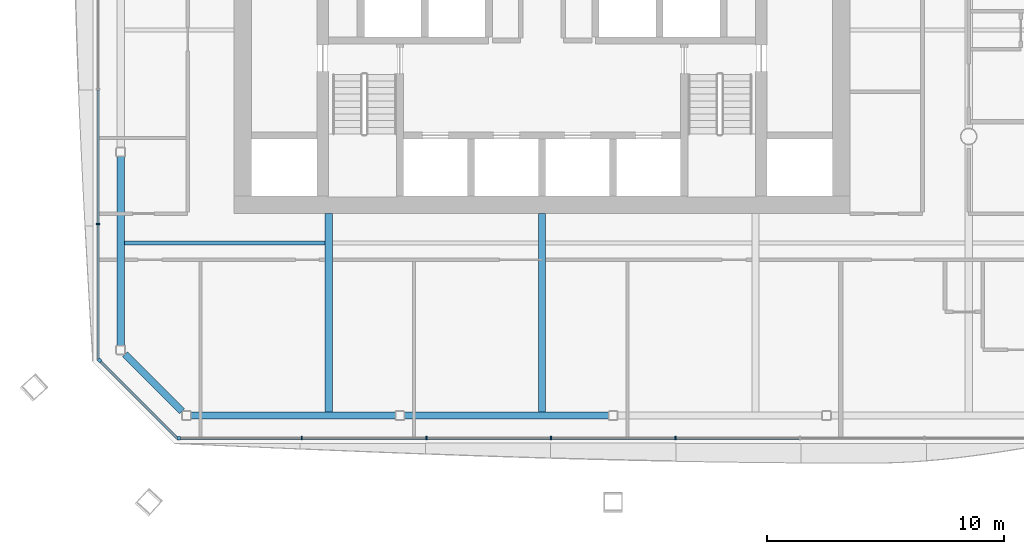
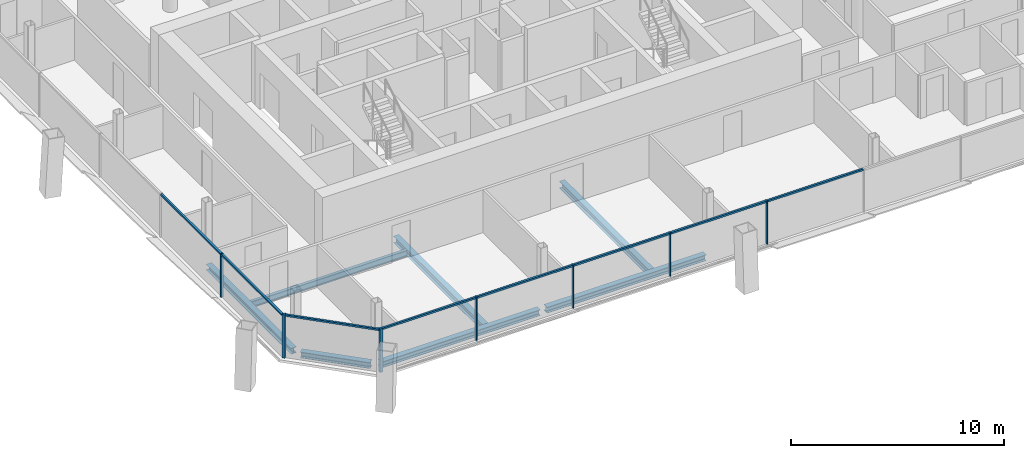
# One storey, part 3 of 17: 15 members, 7 beams, 3 elements without a shape of their own.
"""IFC4 building model written with IfcOpenShell, lengths in metres."""

from ifc_helpers import new_model, si_unit, direction, frame, origin, origin_2d, place, context, subcontext, project, spatial, rectangle, i_section, extrude, material, material_profile, profile_set, type_object, element, aggregate, save


model = new_model("IFC4")

# Units and contexts
model_context = context("Model", 3, precision=1e-05, world=origin(), true_north=direction((0.0, 1.0)))
body_context = subcontext(model_context, "Body", "Model", "MODEL_VIEW")
ifc_project = project(units=[si_unit("LENGTHUNIT", "METRE"), si_unit("AREAUNIT", "SQUARE_METRE"), si_unit("VOLUMEUNIT", "CUBIC_METRE"), si_unit("PLANEANGLEUNIT", "RADIAN"), si_unit("MASSUNIT", "GRAM", prefix="KILO")], contexts=[model_context])

# Site, building, storey
site_placement = place(None, origin())
site = spatial("IfcSite", under=ifc_project, at=site_placement, CompositionType="ELEMENT")
building_placement = place(site_placement, origin())
building = spatial("IfcBuilding", under=site, at=building_placement, Name="Tskaro Facet Tower", CompositionType="ELEMENT")
storey_placement = place(building_placement, frame((0.0, 0.0, 158.89990234375)))
storey = spatial("IfcBuildingStorey", under=building, at=storey_placement, Name="L39", CompositionType="ELEMENT", Elevation=158.89990234375)

# Curtain wall, member
ifc_material_1 = material(Name="Bronze anodised aluminium 6063-T6", Category="aluminium")
curtain_wall_type = type_object("IfcCurtainWallType", Name="Bronze hotel curtain wall (FW2)", PredefinedType="NOTDEFINED", material=ifc_material_1)
curtain_wall_1_placement = place(storey_placement, origin())
curtain_wall_1 = element("IfcCurtainWall", 1, at=curtain_wall_1_placement, inside=storey, type_object=curtain_wall_type, Name="FW2 south facet L39", PredefinedType="NOTDEFINED")
ifc_material_profile_1 = material_profile(ifc_material_1, rectangle(XDim=0.14990234375, YDim=0.14990234375, at=origin_2d()), Name="Corner post 150x150")
ifc_profile_set_1 = profile_set([ifc_material_profile_1], Name="Bronze anodised aluminium 6063-T6")
member_type_1 = type_object("IfcMemberType", Name="FW2 bronze corner post 150x150", PredefinedType="MULLION", material=ifc_profile_set_1)
member_1_placement = place(storey_placement, frame((-15.31689453125, -21.72412109375, 0.0), z_axis=(0.0, 0.0, 1.0), x_axis=(1.0, 0.0, 0.0)))
member_1 = element("IfcMember", 2, at=member_1_placement, type_object=member_type_1, Name="FW2 south corner post", PredefinedType="MULLION", context=body_context, shape_type="SweptSolid", body=[
    extrude(rectangle(XDim=0.14990234375, YDim=0.14990234375, at=origin_2d()), origin(), (0.0, 0.0, 1.0), 2.489990234375),
])

curtain_wall_2_placement = place(storey_placement, origin())
curtain_wall_2 = element("IfcCurtainWall", 3, at=curtain_wall_2_placement, inside=storey, type_object=curtain_wall_type, Name="FW2 south-west facet L39", PredefinedType="NOTDEFINED")
member_2_placement = place(storey_placement, frame((-18.6708984375, -18.445068359375, 0.0), z_axis=(0.0, 0.0, 1.0), x_axis=(0.707106781187, -0.707106781187, 0.0)))
member_2 = element("IfcMember", 4, at=member_2_placement, type_object=member_type_1, Name="FW2 south-west corner post", PredefinedType="MULLION", context=body_context, shape_type="SweptSolid", body=[
    extrude(rectangle(XDim=0.14990234375, YDim=0.14990234375, at=origin_2d()), origin(), (0.0, 0.0, 1.0), 2.489990234375),
])

# Member
ifc_material_profile_2 = material_profile(ifc_material_1, rectangle(XDim=0.06005859375, YDim=0.14990234375, at=origin_2d()), Name="Mullion 60x150")
ifc_profile_set_2 = profile_set([ifc_material_profile_2], Name="Bronze anodised aluminium 6063-T6")
member_type_2 = type_object("IfcMemberType", Name="FW2 bronze mullion 60x150", PredefinedType="MULLION", material=ifc_profile_set_2)
member_3_placement = place(storey_placement, frame((-10.13720703125, -21.72412109375, 0.0), z_axis=(0.0, 0.0, 1.0), x_axis=(1.0, 0.0, 0.0)))
member_3 = element("IfcMember", 5, at=member_3_placement, type_object=member_type_2, Name="FW2 south mullion 1", PredefinedType="MULLION", context=body_context, shape_type="SweptSolid", body=[
    extrude(rectangle(XDim=0.06005859375, YDim=0.14990234375, at=origin_2d()), origin(), (0.0, 0.0, 1.0), 2.489990234375),
])

member_4_placement = place(storey_placement, frame((-4.88232421875, -21.72412109375, 0.0), z_axis=(0.0, 0.0, 1.0), x_axis=(1.0, 0.0, 0.0)))
member_4 = element("IfcMember", 6, at=member_4_placement, type_object=member_type_2, Name="FW2 south mullion 2", PredefinedType="MULLION", context=body_context, shape_type="SweptSolid", body=[
    extrude(rectangle(XDim=0.06005859375, YDim=0.14990234375, at=origin_2d()), origin(), (0.0, 0.0, 1.0), 2.489990234375),
])

member_5_placement = place(storey_placement, frame((0.37255859375, -21.72412109375, 0.0), z_axis=(0.0, 0.0, 1.0), x_axis=(1.0, 0.0, 0.0)))
member_5 = element("IfcMember", 7, at=member_5_placement, type_object=member_type_2, Name="FW2 south mullion 3", PredefinedType="MULLION", context=body_context, shape_type="SweptSolid", body=[
    extrude(rectangle(XDim=0.06005859375, YDim=0.14990234375, at=origin_2d()), origin(), (0.0, 0.0, 1.0), 2.489990234375),
])

member_6_placement = place(storey_placement, frame((5.62744140625, -21.72412109375, 0.0), z_axis=(0.0, 0.0, 1.0), x_axis=(1.0, 0.0, 0.0)))
member_6 = element("IfcMember", 8, at=member_6_placement, type_object=member_type_2, Name="FW2 south mullion 4", PredefinedType="MULLION", context=body_context, shape_type="SweptSolid", body=[
    extrude(rectangle(XDim=0.06005859375, YDim=0.14990234375, at=origin_2d()), origin(), (0.0, 0.0, 1.0), 2.489990234375),
])

# Curtain wall, member
curtain_wall_3_placement = place(storey_placement, origin())
curtain_wall_3 = element("IfcCurtainWall", 9, at=curtain_wall_3_placement, inside=storey, type_object=curtain_wall_type, Name="FW2 west facet L39", PredefinedType="NOTDEFINED")
member_7_placement = place(storey_placement, frame((-18.72412109375, -12.699951171875, 0.0), z_axis=(0.0, 0.0, 1.0), x_axis=(0.0, -1.0, 0.0)))
member_7 = element("IfcMember", 10, at=member_7_placement, type_object=member_type_2, Name="FW2 west mullion 5", PredefinedType="MULLION", context=body_context, shape_type="SweptSolid", body=[
    extrude(rectangle(XDim=0.06005859375, YDim=0.14990234375, at=origin_2d()), origin(), (0.0, 0.0, 1.0), 2.489990234375),
])

# Member
ifc_material_profile_3 = material_profile(ifc_material_1, rectangle(XDim=0.110107421875, YDim=0.10009765625, at=origin_2d()), Name="Transom 110x100")
ifc_profile_set_3 = profile_set([ifc_material_profile_3], Name="Bronze anodised aluminium 6063-T6")
member_type_3 = type_object("IfcMemberType", Name="FW2 bronze transom 110x100", PredefinedType="USERDEFINED", material=ifc_profile_set_3)
member_8_placement = place(storey_placement, frame((-15.241943359375, -21.72412109375, 2.440185546875), z_axis=(1.0, 0.0, 0.0), x_axis=(0.0, 1.0, 0.0)))
member_8 = element("IfcMember", 11, at=member_8_placement, type_object=member_type_3, Name="FW2 south transom 1.1", ObjectType="TRANSOM", PredefinedType="USERDEFINED", context=body_context, shape_type="SweptSolid", body=[
    extrude(rectangle(XDim=0.110107421875, YDim=0.10009765625, at=origin_2d()), origin(), (0.0, 0.0, 1.0), 5.07470703125),
])

member_9_placement = place(storey_placement, frame((-10.107177734375, -21.72412109375, 2.440185546875), z_axis=(1.0, 0.0, 0.0), x_axis=(0.0, 1.0, 0.0)))
member_9 = element("IfcMember", 12, at=member_9_placement, type_object=member_type_3, Name="FW2 south transom 2.1", ObjectType="TRANSOM", PredefinedType="USERDEFINED", context=body_context, shape_type="SweptSolid", body=[
    extrude(rectangle(XDim=0.110107421875, YDim=0.10009765625, at=origin_2d()), origin(), (0.0, 0.0, 1.0), 5.19482421875),
])

member_10_placement = place(storey_placement, frame((-4.852294921875, -21.72412109375, 2.440185546875), z_axis=(1.0, 0.0, 0.0), x_axis=(0.0, 1.0, 0.0)))
member_10 = element("IfcMember", 13, at=member_10_placement, type_object=member_type_3, Name="FW2 south transom 3.1", ObjectType="TRANSOM", PredefinedType="USERDEFINED", context=body_context, shape_type="SweptSolid", body=[
    extrude(rectangle(XDim=0.110107421875, YDim=0.10009765625, at=origin_2d()), origin(), (0.0, 0.0, 1.0), 5.19482421875),
])

member_11_placement = place(storey_placement, frame((0.402587890625, -21.72412109375, 2.440185546875), z_axis=(1.0, 0.0, 0.0), x_axis=(0.0, 1.0, 0.0)))
member_11 = element("IfcMember", 14, at=member_11_placement, type_object=member_type_3, Name="FW2 south transom 4.1", ObjectType="TRANSOM", PredefinedType="USERDEFINED", context=body_context, shape_type="SweptSolid", body=[
    extrude(rectangle(XDim=0.110107421875, YDim=0.10009765625, at=origin_2d()), origin(), (0.0, 0.0, 1.0), 5.19482421875),
])

member_12_placement = place(storey_placement, frame((5.657470703125, -21.72412109375, 2.440185546875), z_axis=(1.0, 0.0, 0.0), x_axis=(0.0, 1.0, 0.0)))
member_12 = element("IfcMember", 15, at=member_12_placement, type_object=member_type_3, Name="FW2 south transom 5.1", ObjectType="TRANSOM", PredefinedType="USERDEFINED", context=body_context, shape_type="SweptSolid", body=[
    extrude(rectangle(XDim=0.110107421875, YDim=0.10009765625, at=origin_2d()), origin(), (0.0, 0.0, 1.0), 5.19482421875),
])

aggregate(curtain_wall_1, [member_1, member_3, member_4, member_5, member_6, member_8, member_9, member_10, member_11, member_12])

member_13_placement = place(storey_placement, frame((-18.72412109375, -7.03759765625, 2.440185546875), z_axis=(0.0, -1.0, 0.0), x_axis=(1.0, 0.0, 0.0)))
member_13 = element("IfcMember", 16, at=member_13_placement, type_object=member_type_3, Name="FW2 west transom 5.1", ObjectType="TRANSOM", PredefinedType="USERDEFINED", context=body_context, shape_type="SweptSolid", body=[
    extrude(rectangle(XDim=0.110107421875, YDim=0.10009765625, at=origin_2d()), origin(), (0.0, 0.0, 1.0), 5.63232421875),
])

member_14_placement = place(storey_placement, frame((-18.72412109375, -12.729736328125, 2.440185546875), z_axis=(0.0, -1.0, 0.0), x_axis=(1.0, 0.0, 0.0)))
member_14 = element("IfcMember", 17, at=member_14_placement, type_object=member_type_3, Name="FW2 west transom 6.1", ObjectType="TRANSOM", PredefinedType="USERDEFINED", context=body_context, shape_type="SweptSolid", body=[
    extrude(rectangle(XDim=0.110107421875, YDim=0.10009765625, at=origin_2d()), origin(), (0.0, 0.0, 1.0), 5.662353515625),
])

aggregate(curtain_wall_3, [member_7, member_13, member_14])

member_15_placement = place(storey_placement, frame((-18.617919921875, -18.498046875, 2.440185546875), z_axis=(0.707080023698, -0.707133537663, 0.0), x_axis=(0.707133537663, 0.707080023698, 0.0)))
member_15 = element("IfcMember", 18, at=member_15_placement, type_object=member_type_3, Name="FW2 south-west transom 1.1", ObjectType="TRANSOM", PredefinedType="USERDEFINED", context=body_context, shape_type="SweptSolid", body=[
    extrude(rectangle(XDim=0.110107421875, YDim=0.10009765625, at=origin_2d()), origin(), (0.0, 0.0, 1.0), 4.562255859375),
])

aggregate(curtain_wall_2, [member_2, member_15])

# Beams
ifc_material_2 = material(Name="Steel S355J2", Category="steel")
ifc_material_profile_4 = material_profile(ifc_material_2, i_section(OverallWidth=0.300048828125, OverallDepth=0.340087890625, WebThickness=0.011962890625, FlangeThickness=0.021484375, FilletRadius=0.027099609375, at=origin_2d()), Name="HE 340 B")
ifc_profile_set_4 = profile_set([ifc_material_profile_4], Name="Steel S355J2")
beam_type_1 = type_object("IfcBeamType", Name="HE 340 B ring beam", PredefinedType="BEAM", material=ifc_profile_set_4)
beam_1_placement = place(storey_placement, frame((-14.819091796875, -20.77392578125, -0.309814453125), z_axis=(1.0, 0.0, 0.0), x_axis=(0.0, 1.0, 0.0)))
element("IfcBeam", 19, at=beam_1_placement, inside=storey, type_object=beam_type_1, Name="HE 340 B EB1-3", PredefinedType="BEAM", context=body_context, shape_type="SweptSolid", body=[
    extrude(i_section(OverallWidth=0.300048828125, OverallDepth=0.340087890625, WebThickness=0.011962890625, FlangeThickness=0.021484375, FilletRadius=0.027099609375, at=origin_2d()), origin(), (0.0, 0.0, 1.0), 8.63916015625),
])
beam_2_placement = place(storey_placement, frame((-5.820068359375, -20.77392578125, -0.309814453125), z_axis=(1.0, 0.0, 0.0), x_axis=(0.0, 1.0, 0.0)))
element("IfcBeam", 20, at=beam_2_placement, inside=storey, type_object=beam_type_1, Name="HE 340 B EB2-3", PredefinedType="BEAM", context=body_context, shape_type="SweptSolid", body=[
    extrude(i_section(OverallWidth=0.300048828125, OverallDepth=0.340087890625, WebThickness=0.011962890625, FlangeThickness=0.021484375, FilletRadius=0.027099609375, at=origin_2d()), origin(), (0.0, 0.0, 1.0), 8.64013671875),
])
beam_3_placement = place(storey_placement, frame((-17.77392578125, -9.8369140625, -0.309814453125), z_axis=(0.0, -1.0, 0.0), x_axis=(1.0, 0.0, 0.0)))
element("IfcBeam", 21, at=beam_3_placement, inside=storey, type_object=beam_type_1, Name="HE 340 B EB19-3", PredefinedType="BEAM", context=body_context, shape_type="SweptSolid", body=[
    extrude(i_section(OverallWidth=0.300048828125, OverallDepth=0.340087890625, WebThickness=0.011962890625, FlangeThickness=0.021484375, FilletRadius=0.027099609375, at=origin_2d()), origin(), (0.0, 0.0, 1.0), 7.982177734375),
])
beam_4_placement = place(storey_placement, frame((-17.588134765625, -18.184814453125, -0.309814453125), z_axis=(0.707106781187, -0.707106781187, 0.0), x_axis=(0.707106781187, 0.707106781187, 0.0)))
element("IfcBeam", 22, at=beam_4_placement, inside=storey, type_object=beam_type_1, Name="HE 340 B EB20-3", PredefinedType="BEAM", context=body_context, shape_type="SweptSolid", body=[
    extrude(i_section(OverallWidth=0.300048828125, OverallDepth=0.340087890625, WebThickness=0.011962890625, FlangeThickness=0.021484375, FilletRadius=0.027099609375, at=origin_2d()), origin(), (0.0, 0.0, 1.0), 3.39892578125),
])
ifc_material_profile_5 = material_profile(ifc_material_2, i_section(OverallWidth=0.300048828125, OverallDepth=0.389892578125, WebThickness=0.010986328125, FlangeThickness=0.01904296875, FilletRadius=0.027099609375, at=origin_2d()), Name="HE 400 A")
ifc_profile_set_5 = profile_set([ifc_material_profile_5], Name="Steel S355J2")
beam_type_2 = type_object("IfcBeamType", Name="HE 400 A girder", PredefinedType="BEAM", material=ifc_profile_set_5)
for number, where, z_axis, x_axis, name in (
    (23, (-9.0, -20.6240234375, -0.3349609375), (0.0, 1.0, 0.0), (-1.0, 0.0, 0.0), "HE 400 A GB3-1-3"),
    (24, (0.0, -20.6240234375, -0.3349609375), (0.0, 1.0, 0.0), (-1.0, 0.0, 0.0), "HE 400 A GB4-1-3"),
):
    element("IfcBeam", number, at=place(storey_placement, frame(where, z_axis=z_axis, x_axis=x_axis)), inside=storey, type_object=beam_type_2, Name=name, PredefinedType="BEAM", context=body_context, shape_type="SweptSolid", body=[
        extrude(i_section(OverallWidth=0.300048828125, OverallDepth=0.389892578125, WebThickness=0.010986328125, FlangeThickness=0.01904296875, FilletRadius=0.027099609375, at=origin_2d()), origin(), (0.0, 0.0, 1.0), 8.3740234375),
    ])
ifc_material_profile_6 = material_profile(ifc_material_2, i_section(OverallWidth=0.169921875, OverallDepth=0.360107421875, WebThickness=0.008056640625, FlangeThickness=0.0126953125, FilletRadius=0.01806640625, at=origin_2d()), Name="IPE 360")
ifc_profile_set_6 = profile_set([ifc_material_profile_6], Name="Steel S355J2")
beam_type_3 = type_object("IfcBeamType", Name="IPE 360 secondary beam", PredefinedType="BEAM", material=ifc_profile_set_6)
beam_5_placement = place(storey_placement, frame((-17.6240234375, -13.5, -0.31982421875), z_axis=(1.0, 0.0, 0.0), x_axis=(0.0, 1.0, 0.0)))
element("IfcBeam", 25, at=beam_5_placement, inside=storey, type_object=beam_type_3, Name="IPE 360 SB2a-1-3", PredefinedType="BEAM", context=body_context, shape_type="SweptSolid", body=[
    extrude(i_section(OverallWidth=0.169921875, OverallDepth=0.360107421875, WebThickness=0.008056640625, FlangeThickness=0.0126953125, FilletRadius=0.01806640625, at=origin_2d()), origin(), (0.0, 0.0, 1.0), 8.47412109375),
])

save(model, "model.ifc")
